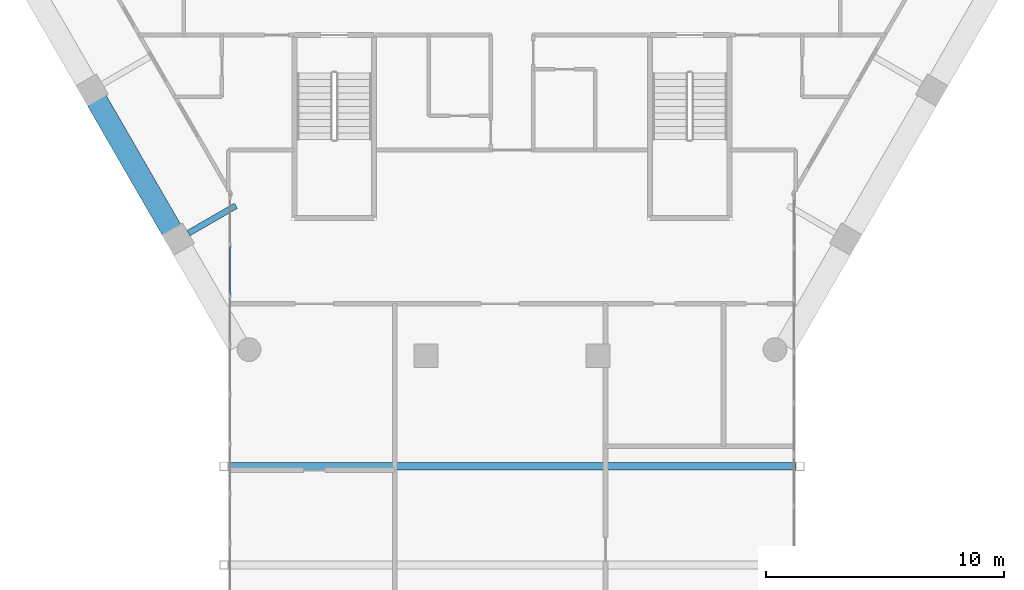
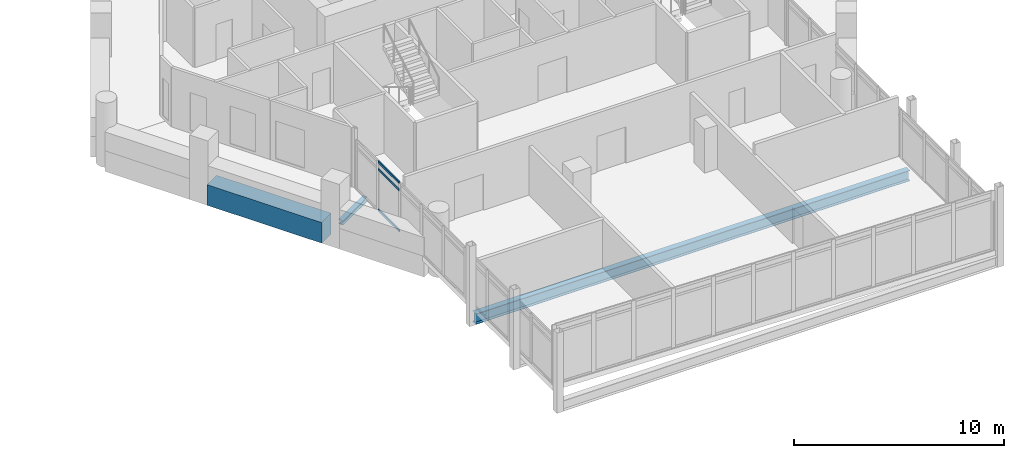
# One storey, part 8 of 29: 3 beams, 3 members, 1 element without a shape of its own.
"""IFC4 building model written with IfcOpenShell, lengths in metres."""

from ifc_helpers import new_model, si_unit, direction, frame, origin, origin_2d, place, context, subcontext, project, spatial, rectangle, hollow_rectangle, i_section, extrude, material, material_profile, profile_set, type_object, element, aggregate, save


model = new_model("IFC4")

# Units and contexts
model_context = context("Model", 3, precision=1e-05, world=origin(), true_north=direction((0.0, 1.0)))
body_context = subcontext(model_context, "Body", "Model", "MODEL_VIEW")
ifc_project = project(units=[si_unit("LENGTHUNIT", "METRE"), si_unit("AREAUNIT", "SQUARE_METRE"), si_unit("VOLUMEUNIT", "CUBIC_METRE"), si_unit("PLANEANGLEUNIT", "RADIAN"), si_unit("MASSUNIT", "GRAM", prefix="KILO")], contexts=[model_context])

# Site, building, storey
site_placement = place(None, origin())
site = spatial("IfcSite", under=ifc_project, at=site_placement, CompositionType="ELEMENT")
building_placement = place(site_placement, origin())
building = spatial("IfcBuilding", under=site, at=building_placement, Name="Ostrander Bayou Hotel Tower", CompositionType="ELEMENT")
storey_placement = place(building_placement, frame((0.0, 0.0, 205.75)))
storey = spatial("IfcBuildingStorey", under=building, at=storey_placement, Name="L51", CompositionType="ELEMENT", Elevation=205.75)

# Curtain wall, members
ifc_material_1 = material(Name="Aluminium and clear glass", Category="aluminium")
curtain_wall_type = type_object("IfcCurtainWallType", Name="CW-BAR glazed wall", PredefinedType="NOTDEFINED", material=ifc_material_1)
curtain_wall_placement = place(storey_placement, origin())
curtain_wall = element("IfcCurtainWall", 1, at=curtain_wall_placement, inside=storey, type_object=curtain_wall_type, Name="CW-BAR L51:SB4S:E", PredefinedType="NOTDEFINED")
ifc_material_2 = material(Name="Aluminium", Category="aluminium")
ifc_material_profile_1 = material_profile(ifc_material_2, hollow_rectangle(XDim=0.06005859375, YDim=0.1298828125, WallThickness=0.00390625, at=origin_2d()))
ifc_profile_set_1 = profile_set([ifc_material_profile_1], Name="Aluminium")
member_type = type_object("IfcMemberType", Name="CW-BR transom 60 x 130 mm", PredefinedType="USERDEFINED", material=ifc_profile_set_1)
member_1_placement = place(storey_placement, frame((-11.857177734375, -12.58056640625, 0.030029296875), z_axis=(0.0, -1.0, 0.0), x_axis=(1.0, 0.0, 0.0)))
member_1 = element("IfcMember", 2, at=member_1_placement, type_object=member_type, Name="CW-BAR transom 2.1", ObjectType="TRANSOM", PredefinedType="USERDEFINED", context=body_context, shape_type="SweptSolid", body=[
    extrude(hollow_rectangle(XDim=0.06005859375, YDim=0.1298828125, WallThickness=0.00390625, at=origin_2d()), origin(), (0.0, 0.0, 1.0), 2.027587890625),
])
member_2_placement = place(storey_placement, frame((-11.857177734375, -12.58056640625, 2.39990234375), z_axis=(0.0, -1.0, 0.0), x_axis=(1.0, 0.0, 0.0)))
member_2 = element("IfcMember", 3, at=member_2_placement, type_object=member_type, Name="CW-BAR transom 2.2", ObjectType="TRANSOM", PredefinedType="USERDEFINED", context=body_context, shape_type="SweptSolid", body=[
    extrude(hollow_rectangle(XDim=0.06005859375, YDim=0.1298828125, WallThickness=0.00390625, at=origin_2d()), origin(), (0.0, 0.0, 1.0), 2.027587890625),
])
member_3_placement = place(storey_placement, frame((-11.857177734375, -12.58056640625, 2.820068359375), z_axis=(0.0, -1.0, 0.0), x_axis=(1.0, 0.0, 0.0)))
member_3 = element("IfcMember", 4, at=member_3_placement, type_object=member_type, Name="CW-BAR transom 2.3", ObjectType="TRANSOM", PredefinedType="USERDEFINED", context=body_context, shape_type="SweptSolid", body=[
    extrude(hollow_rectangle(XDim=0.06005859375, YDim=0.1298828125, WallThickness=0.00390625, at=origin_2d()), origin(), (0.0, 0.0, 1.0), 2.027587890625),
])
aggregate(curtain_wall, [member_1, member_2, member_3])

# Beams
ifc_material_3 = material(Name="Steel ASTM A992", Category="steel")
ifc_material_profile_2 = material_profile(ifc_material_3, i_section(OverallWidth=0.25390625, OverallDepth=0.25341796875, WebThickness=0.008544921875, FlangeThickness=0.01416015625, at=origin_2d()))
ifc_profile_set_2 = profile_set([ifc_material_profile_2], Name="Steel ASTM A992")
beam_type_1 = type_object("IfcBeamType", Name="LB2 loggia bracket W10x49", PredefinedType="BEAM", material=ifc_profile_set_2)
beam_1_placement = place(storey_placement, frame((-13.606201171875, -12.033203125, -0.4267578125), z_axis=(0.86602648383, 0.499998129301, 0.0), x_axis=(-0.499998129301, 0.86602648383, 0.0)))
element("IfcBeam", 5, at=beam_1_placement, inside=storey, type_object=beam_type_1, Name="LB2 L51 SW2", PredefinedType="BEAM", context=body_context, shape_type="SweptSolid", body=[
    extrude(i_section(OverallWidth=0.25390625, OverallDepth=0.25341796875, WebThickness=0.008544921875, FlangeThickness=0.01416015625, at=origin_2d()), origin(), (0.0, 0.0, 1.0), 2.2998046875),
])
ifc_material_4 = material(Name="Concrete f'c 60 MPa", Category="concrete")
ifc_material_profile_3 = material_profile(ifc_material_4, rectangle(XDim=0.89990234375, YDim=1.199951171875, at=origin_2d()))
ifc_profile_set_3 = profile_set([ifc_material_profile_3], Name="Concrete f'c 60 MPa")
beam_type_2 = type_object("IfcBeamType", Name="SP3 spandrel beam 900 x 1200 mm f'c 60 MPa", PredefinedType="SPANDREL", material=ifc_profile_set_3)
beam_2_placement = place(storey_placement, frame((-17.465576171875, -6.44873046875, -0.60009765625), z_axis=(0.500013351051, -0.866017695414, 0.0), x_axis=(0.866017695414, 0.500013351051, 0.0)))
element("IfcBeam", 6, at=beam_2_placement, inside=storey, type_object=beam_type_2, Name="SP3 L51 SW-2", PredefinedType="SPANDREL", context=body_context, shape_type="SweptSolid", body=[
    extrude(rectangle(XDim=0.89990234375, YDim=1.199951171875, at=origin_2d()), origin(), (0.0, 0.0, 1.0), 6.296142578125),
])
ifc_material_5 = material(Name="Steel ASTM A992", Category="steel")
ifc_material_profile_4 = material_profile(ifc_material_5, i_section(OverallWidth=0.32373046875, OverallDepth=0.611083984375, WebThickness=0.0126953125, FlangeThickness=0.01904296875, at=origin_2d()))
ifc_profile_set_4 = profile_set([ifc_material_profile_4], Name="Steel ASTM A992")
beam_type_3 = type_object("IfcBeamType", Name="TF2 bar floor beam W24x104", PredefinedType="BEAM", material=ifc_profile_set_4)
beam_3_placement = place(storey_placement, frame((-11.93212890625, -21.840576171875, -0.605712890625), z_axis=(1.0, 0.0, 0.0), x_axis=(0.0, 1.0, 0.0)))
element("IfcBeam", 7, at=beam_3_placement, inside=storey, type_object=beam_type_3, Name="TF2 SB4S L4-1", PredefinedType="BEAM", context=body_context, shape_type="SweptSolid", body=[
    extrude(i_section(OverallWidth=0.32373046875, OverallDepth=0.611083984375, WebThickness=0.0126953125, FlangeThickness=0.01904296875, at=origin_2d()), origin(), (0.0, 0.0, 1.0), 23.8642578125),
])

save(model, "model.ifc")
